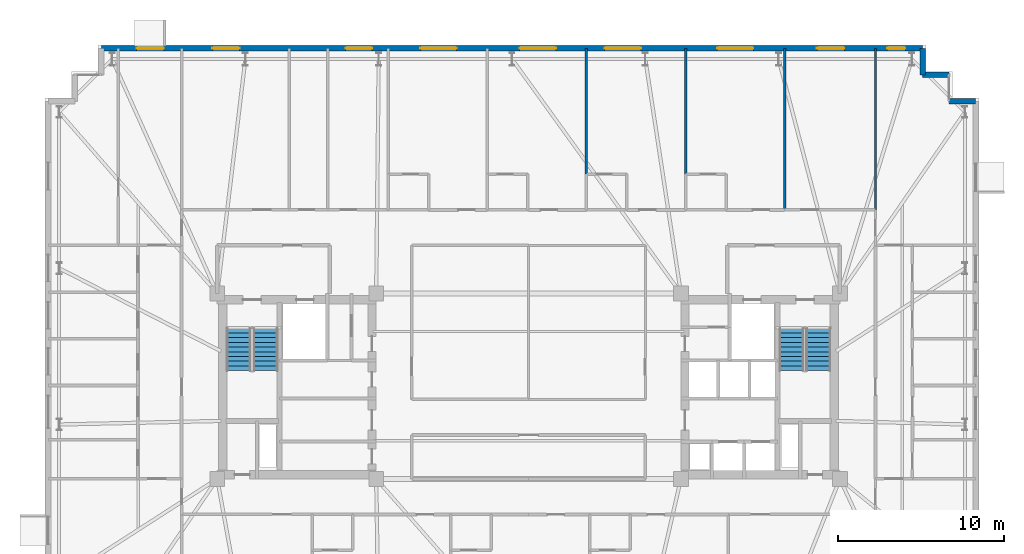
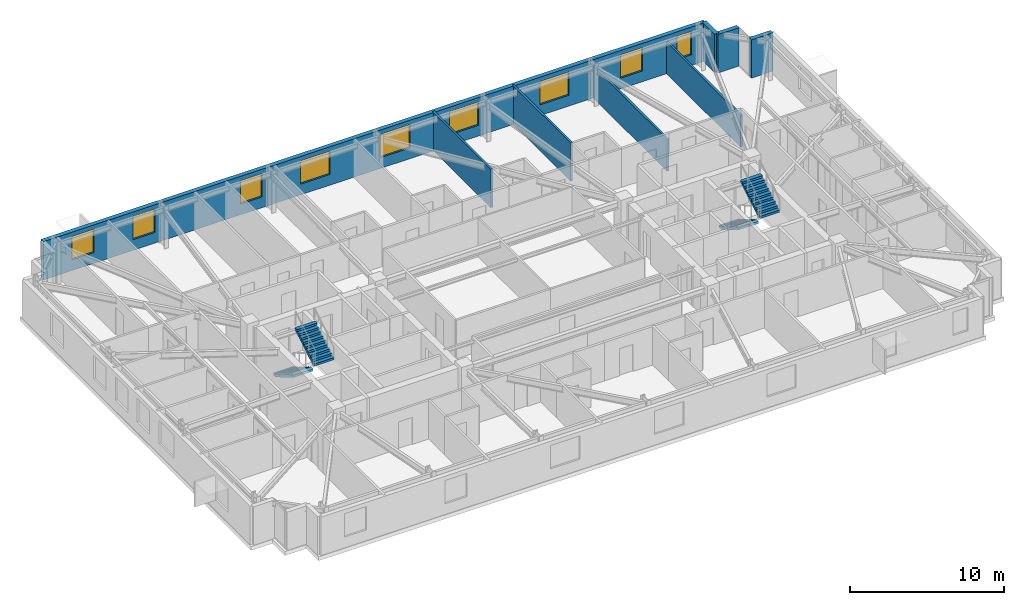
# One storey, part 16 of 18: 9 windows, 8 walls, 4 stair flights, 9 openings, 2 elements without a shape of their own.
"""IFC4 building model written with IfcOpenShell, lengths in metres."""

from ifc_helpers import new_model, si_unit, direction, frame, frame_2d, origin, place, context, subcontext, project, spatial, polyline, rectangle, outline, extrude, material, layer, layer_set, type_object, element, fill, aggregate, save


model = new_model("IFC4")

# Units and contexts
model_context = context("Model", 3, precision=1e-05, world=origin(), true_north=direction((0.0, 1.0)))
body_context = subcontext(model_context, "Body", "Model", "MODEL_VIEW")
ifc_project = project(units=[si_unit("LENGTHUNIT", "METRE"), si_unit("AREAUNIT", "SQUARE_METRE"), si_unit("VOLUMEUNIT", "CUBIC_METRE"), si_unit("PLANEANGLEUNIT", "RADIAN"), si_unit("MASSUNIT", "GRAM", prefix="KILO")], contexts=[model_context])

# Site, building, storey
site_placement = place(None, origin())
site = spatial("IfcSite", under=ifc_project, at=site_placement, CompositionType="ELEMENT")
building_placement = place(site_placement, origin())
building = spatial("IfcBuilding", under=site, at=building_placement, Name="Qobustan Lattice House", CompositionType="ELEMENT")
storey_placement = place(building_placement, frame((0.0, 0.0, 134.35009765625)))
storey = spatial("IfcBuildingStorey", under=building, at=storey_placement, Name="L37", CompositionType="ELEMENT", Elevation=134.35009765625)

# Wall, openings, windows
ifc_material_1 = material(Name="Precast concrete C40/50", Category="concrete")
ifc_layer_1 = layer(ifc_material_1, 0.320068359375)
ifc_layer_set_1 = layer_set([ifc_layer_1], Name="Precast concrete C40/50")
wall_type_1 = type_object("IfcWallType", Name="WAL-EXT-STONE-320", PredefinedType="SOLIDWALL", material=ifc_layer_set_1)
wall_1_placement = place(storey_placement, frame((-25.800048828125, 20.39990234375, 0.0), z_axis=(0.0, 0.0, 1.0), x_axis=(1.0, 0.0, 0.0)))
wall_1 = element("IfcWall", 1, at=wall_1_placement, inside=storey, type_object=wall_type_1, Name="L37 exterior limestone-clad wall 10", PredefinedType="SOLIDWALL", context=body_context, shape_type="SweptSolid", body=[
    extrude(rectangle(XDim=49.60009765625, YDim=0.320068359375, at=frame_2d((24.800048828125, 0.0))), origin(), (0.0, 0.0, 1.0), 3.039794921875),
])
opening_1_placement = place(wall_1_placement, frame((2.135009765625, 0.0, 0.85009765625)))
opening_1 = element("IfcOpeningElement", 2, at=opening_1_placement, cuts=wall_1, Name="Opening WN-09", PredefinedType="OPENING", context=body_context, shape_type="SweptSolid", body=[
    extrude(rectangle(XDim=1.64990234375, YDim=1.85009765625, at=frame_2d((0.824951171875, 0.925048828125))), frame((0.0, 0.169921875, 0.0), z_axis=(0.0, -1.0, 0.0), x_axis=(1.0, 0.0, 0.0)), (0.0, 0.0, 1.0), 0.340087890625),
])
opening_2_placement = place(wall_1_placement, frame((6.70556640625, 0.0, 0.85009765625)))
opening_2 = element("IfcOpeningElement", 3, at=opening_2_placement, cuts=wall_1, Name="Opening WN-09", PredefinedType="OPENING", context=body_context, shape_type="SweptSolid", body=[
    extrude(rectangle(XDim=1.64990234375, YDim=1.85009765625, at=frame_2d((0.824951171875, 0.925048828125))), frame((0.0, 0.169921875, 0.0), z_axis=(0.0, -1.0, 0.0), x_axis=(1.0, 0.0, 0.0)), (0.0, 0.0, 1.0), 0.340087890625),
])
opening_3_placement = place(wall_1_placement, frame((14.760009765625, 0.0, 0.85009765625)))
opening_3 = element("IfcOpeningElement", 4, at=opening_3_placement, cuts=wall_1, Name="Opening WN-13", PredefinedType="OPENING", context=body_context, shape_type="SweptSolid", body=[
    extrude(rectangle(XDim=1.60009765625, YDim=1.85009765625, at=frame_2d((0.800048828125, 0.925048828125))), frame((0.0, 0.169921875, 0.0), z_axis=(0.0, -1.0, 0.0), x_axis=(1.0, 0.0, 0.0)), (0.0, 0.0, 1.0), 0.340087890625),
])
opening_4_placement = place(wall_1_placement, frame((19.260009765625, 0.0, 0.85009765625)))
opening_4 = element("IfcOpeningElement", 5, at=opening_4_placement, cuts=wall_1, Name="Opening WN-03", PredefinedType="OPENING", context=body_context, shape_type="SweptSolid", body=[
    extrude(rectangle(XDim=2.199951171875, YDim=1.85009765625, at=frame_2d((1.10009765625, 0.925048828125))), frame((0.0, 0.169921875, 0.0), z_axis=(0.0, -1.0, 0.0), x_axis=(1.0, 0.0, 0.0)), (0.0, 0.0, 1.0), 0.340087890625),
])
opening_5_placement = place(wall_1_placement, frame((25.260009765625, 0.0, 0.85009765625)))
opening_5 = element("IfcOpeningElement", 6, at=opening_5_placement, cuts=wall_1, Name="Opening WN-03", PredefinedType="OPENING", context=body_context, shape_type="SweptSolid", body=[
    extrude(rectangle(XDim=2.199951171875, YDim=1.85009765625, at=frame_2d((1.10009765625, 0.925048828125))), frame((0.0, 0.169921875, 0.0), z_axis=(0.0, -1.0, 0.0), x_axis=(1.0, 0.0, 0.0)), (0.0, 0.0, 1.0), 0.340087890625),
])
opening_6_placement = place(wall_1_placement, frame((30.39990234375, 0.0, 0.85009765625)))
opening_6 = element("IfcOpeningElement", 7, at=opening_6_placement, cuts=wall_1, Name="Opening WN-03", PredefinedType="OPENING", context=body_context, shape_type="SweptSolid", body=[
    extrude(rectangle(XDim=2.199951171875, YDim=1.85009765625, at=frame_2d((1.10009765625, 0.925048828125))), frame((0.0, 0.169921875, 0.0), z_axis=(0.0, -1.0, 0.0), x_axis=(1.0, 0.0, 0.0)), (0.0, 0.0, 1.0), 0.340087890625),
])
opening_7_placement = place(wall_1_placement, frame((37.179931640625, 0.0, 0.85009765625)))
opening_7 = element("IfcOpeningElement", 8, at=opening_7_placement, cuts=wall_1, Name="Opening WN-03", PredefinedType="OPENING", context=body_context, shape_type="SweptSolid", body=[
    extrude(rectangle(XDim=2.199951171875, YDim=1.85009765625, at=frame_2d((1.10009765625, 0.925048828125))), frame((0.0, 0.169921875, 0.0), z_axis=(0.0, -1.0, 0.0), x_axis=(1.0, 0.0, 0.0)), (0.0, 0.0, 1.0), 0.340087890625),
])
opening_8_placement = place(wall_1_placement, frame((43.215087890625, 0.0, 0.85009765625)))
opening_8 = element("IfcOpeningElement", 9, at=opening_8_placement, cuts=wall_1, Name="Opening WN-09", PredefinedType="OPENING", context=body_context, shape_type="SweptSolid", body=[
    extrude(rectangle(XDim=1.64990234375, YDim=1.85009765625, at=frame_2d((0.824951171875, 0.925048828125))), frame((0.0, 0.169921875, 0.0), z_axis=(0.0, -1.0, 0.0), x_axis=(1.0, 0.0, 0.0)), (0.0, 0.0, 1.0), 0.340087890625),
])
opening_9_placement = place(wall_1_placement, frame((47.449951171875, 0.0, 0.85009765625)))
opening_9 = element("IfcOpeningElement", 10, at=opening_9_placement, cuts=wall_1, Name="Opening WN-04", PredefinedType="OPENING", context=body_context, shape_type="SweptSolid", body=[
    extrude(rectangle(XDim=1.10009765625, YDim=1.85009765625, at=frame_2d((0.550048828125, 0.925048828125))), frame((0.0, 0.169921875, 0.0), z_axis=(0.0, -1.0, 0.0), x_axis=(1.0, 0.0, 0.0)), (0.0, 0.0, 1.0), 0.340087890625),
])
ifc_material_2 = material(Name="Double-glazed low-E aluminium window", Category="aluminium")
window_type_1 = type_object("IfcWindowType", Name="WIN-BED-1600x1850", PartitioningType="SINGLE_PANEL", PredefinedType="WINDOW", material=ifc_material_2)
window_1_placement = place(opening_3_placement, origin())
window_1 = element("IfcWindow", 11, at=window_1_placement, inside=storey, type_object=window_type_1, Name="L37 Laundry utility room window", OverallHeight=1.85009765625, OverallWidth=1.60009765625, PartitioningType="SINGLE_PANEL", PredefinedType="WINDOW", context=body_context, shape_type="SweptSolid", body=[
    extrude(rectangle(XDim=1.60009765625, YDim=1.85009765625, at=frame_2d((0.800048828125, 0.925048828125))), frame((0.0, 0.030029296875, 0.0), z_axis=(0.0, -1.0, 0.0), x_axis=(1.0, 0.0, 0.0)), (0.0, 0.0, 1.0), 0.06005859375),
])
fill(opening_3, window_1)
ifc_material_3 = material(Name="Double-glazed low-E aluminium window", Category="aluminium")
window_type_2 = type_object("IfcWindowType", Name="WIN-NAR-1100x1850", PartitioningType="SINGLE_PANEL", PredefinedType="WINDOW", material=ifc_material_3)
window_2_placement = place(opening_9_placement, origin())
window_2 = element("IfcWindow", 12, at=window_2_placement, inside=storey, type_object=window_type_2, Name="L37 Reading study room L37EN window", OverallHeight=1.85009765625, OverallWidth=1.10009765625, PartitioningType="SINGLE_PANEL", PredefinedType="WINDOW", context=body_context, shape_type="SweptSolid", body=[
    extrude(rectangle(XDim=1.10009765625, YDim=1.85009765625, at=frame_2d((0.550048828125, 0.925048828125))), frame((0.0, 0.030029296875, 0.0), z_axis=(0.0, -1.0, 0.0), x_axis=(1.0, 0.0, 0.0)), (0.0, 0.0, 1.0), 0.06005859375),
])
fill(opening_9, window_2)
ifc_material_4 = material(Name="Double-glazed low-E aluminium window", Category="aluminium")
window_type_3 = type_object("IfcWindowType", Name="WIN-STU-1650x1850", PartitioningType="SINGLE_PANEL", PredefinedType="WINDOW", material=ifc_material_4)
window_3_placement = place(opening_1_placement, origin())
window_3 = element("IfcWindow", 13, at=window_3_placement, inside=storey, type_object=window_type_3, Name="L37 Reading seminar room L37WN window", OverallHeight=1.85009765625, OverallWidth=1.64990234375, PartitioningType="SINGLE_PANEL", PredefinedType="WINDOW", context=body_context, shape_type="SweptSolid", body=[
    extrude(rectangle(XDim=1.64990234375, YDim=1.85009765625, at=frame_2d((0.824951171875, 0.925048828125))), frame((0.0, 0.030029296875, 0.0), z_axis=(0.0, -1.0, 0.0), x_axis=(1.0, 0.0, 0.0)), (0.0, 0.0, 1.0), 0.06005859375),
])
fill(opening_1, window_3)
window_4_placement = place(opening_2_placement, origin())
window_4 = element("IfcWindow", 14, at=window_4_placement, inside=storey, type_object=window_type_3, Name="L37 Focus study room N1 window", OverallHeight=1.85009765625, OverallWidth=1.64990234375, PartitioningType="SINGLE_PANEL", PredefinedType="WINDOW", context=body_context, shape_type="SweptSolid", body=[
    extrude(rectangle(XDim=1.64990234375, YDim=1.85009765625, at=frame_2d((0.824951171875, 0.925048828125))), frame((0.0, 0.030029296875, 0.0), z_axis=(0.0, -1.0, 0.0), x_axis=(1.0, 0.0, 0.0)), (0.0, 0.0, 1.0), 0.06005859375),
])
fill(opening_2, window_4)
window_5_placement = place(opening_8_placement, origin())
window_5 = element("IfcWindow", 15, at=window_5_placement, inside=storey, type_object=window_type_3, Name="L37 Focus study room N7 window", OverallHeight=1.85009765625, OverallWidth=1.64990234375, PartitioningType="SINGLE_PANEL", PredefinedType="WINDOW", context=body_context, shape_type="SweptSolid", body=[
    extrude(rectangle(XDim=1.64990234375, YDim=1.85009765625, at=frame_2d((0.824951171875, 0.925048828125))), frame((0.0, 0.030029296875, 0.0), z_axis=(0.0, -1.0, 0.0), x_axis=(1.0, 0.0, 0.0)), (0.0, 0.0, 1.0), 0.06005859375),
])
fill(opening_8, window_5)
ifc_material_5 = material(Name="Double-glazed low-E aluminium window", Category="aluminium")
window_type_4 = type_object("IfcWindowType", Name="WIN-WIDE-2200x1850", PartitioningType="SINGLE_PANEL", PredefinedType="WINDOW", material=ifc_material_5)
window_6_placement = place(opening_4_placement, origin())
window_6 = element("IfcWindow", 16, at=window_6_placement, inside=storey, type_object=window_type_4, Name="L37 Kitchenette and studio apartment L37-N3 window", OverallHeight=1.85009765625, OverallWidth=2.199951171875, PartitioningType="SINGLE_PANEL", PredefinedType="WINDOW", context=body_context, shape_type="SweptSolid", body=[
    extrude(rectangle(XDim=2.199951171875, YDim=1.85009765625, at=frame_2d((1.10009765625, 0.925048828125))), frame((0.0, 0.030029296875, 0.0), z_axis=(0.0, -1.0, 0.0), x_axis=(1.0, 0.0, 0.0)), (0.0, 0.0, 1.0), 0.06005859375),
])
fill(opening_4, window_6)
window_7_placement = place(opening_5_placement, origin())
window_7 = element("IfcWindow", 17, at=window_7_placement, inside=storey, type_object=window_type_4, Name="L37 Kitchenette and studio apartment L37-N4 window", OverallHeight=1.85009765625, OverallWidth=2.199951171875, PartitioningType="SINGLE_PANEL", PredefinedType="WINDOW", context=body_context, shape_type="SweptSolid", body=[
    extrude(rectangle(XDim=2.199951171875, YDim=1.85009765625, at=frame_2d((1.10009765625, 0.925048828125))), frame((0.0, 0.030029296875, 0.0), z_axis=(0.0, -1.0, 0.0), x_axis=(1.0, 0.0, 0.0)), (0.0, 0.0, 1.0), 0.06005859375),
])
fill(opening_5, window_7)
window_8_placement = place(opening_6_placement, origin())
window_8 = element("IfcWindow", 18, at=window_8_placement, inside=storey, type_object=window_type_4, Name="L37 Kitchenette and studio apartment L37-N5 window", OverallHeight=1.85009765625, OverallWidth=2.199951171875, PartitioningType="SINGLE_PANEL", PredefinedType="WINDOW", context=body_context, shape_type="SweptSolid", body=[
    extrude(rectangle(XDim=2.199951171875, YDim=1.85009765625, at=frame_2d((1.10009765625, 0.925048828125))), frame((0.0, 0.030029296875, 0.0), z_axis=(0.0, -1.0, 0.0), x_axis=(1.0, 0.0, 0.0)), (0.0, 0.0, 1.0), 0.06005859375),
])
fill(opening_6, window_8)
window_9_placement = place(opening_7_placement, origin())
window_9 = element("IfcWindow", 19, at=window_9_placement, inside=storey, type_object=window_type_4, Name="L37 Kitchenette and studio apartment L37-N6 window", OverallHeight=1.85009765625, OverallWidth=2.199951171875, PartitioningType="SINGLE_PANEL", PredefinedType="WINDOW", context=body_context, shape_type="SweptSolid", body=[
    extrude(rectangle(XDim=2.199951171875, YDim=1.85009765625, at=frame_2d((1.10009765625, 0.925048828125))), frame((0.0, 0.030029296875, 0.0), z_axis=(0.0, -1.0, 0.0), x_axis=(1.0, 0.0, 0.0)), (0.0, 0.0, 1.0), 0.06005859375),
])
fill(opening_7, window_9)

# Walls
for number, where, z_axis, x_axis, name in (
    (20, (23.800048828125, 20.39990234375, 0.0), (0.0, 0.0, 1.0), (0.0, -1.0, 0.0), "L37 exterior limestone-clad wall 11"),
    (21, (23.800048828125, 18.800048828125, 0.0), (0.0, 0.0, 1.0), (1.0, 0.0, 0.0), "L37 exterior limestone-clad wall 12"),
):
    element("IfcWall", number, at=place(storey_placement, frame(where, z_axis=z_axis, x_axis=x_axis)), inside=storey, type_object=wall_type_1, Name=name, PredefinedType="SOLIDWALL", context=body_context, shape_type="SweptSolid", body=[
        extrude(rectangle(XDim=1.599853515625, YDim=0.320068359375, at=frame_2d((0.7998046875, 0.0))), origin(), (0.0, 0.0, 1.0), 3.039794921875),
    ])
wall_2_placement = place(storey_placement, frame((25.39990234375, 17.199951171875, 0.0), z_axis=(0.0, 0.0, 1.0), x_axis=(1.0, 0.0, 0.0)))
element("IfcWall", 22, at=wall_2_placement, inside=storey, type_object=wall_type_1, Name="L37 exterior limestone-clad wall 14", PredefinedType="SOLIDWALL", context=body_context, shape_type="SweptSolid", body=[
    extrude(rectangle(XDim=1.60009765625, YDim=0.320068359375, at=frame_2d((0.800048828125, 0.0))), origin(), (0.0, 0.0, 1.0), 3.039794921875),
])
ifc_material_6 = material(Name="Acoustic twin-stud gypsum partition", Category="gypsum")
ifc_layer_2 = layer(ifc_material_6, 0.14990234375)
ifc_layer_set_2 = layer_set([ifc_layer_2], Name="Acoustic twin-stud gypsum partition")
wall_type_2 = type_object("IfcWallType", Name="WAL-PART-150", PredefinedType="PARTITIONING", material=ifc_layer_set_2)
wall_3_placement = place(storey_placement, frame((20.949951171875, 10.64990234375, 0.0), z_axis=(0.0, 0.0, 1.0), x_axis=(0.0, 1.0, 0.0)))
element("IfcWall", 23, at=wall_3_placement, inside=storey, type_object=wall_type_2, Name="L37 interior partition 97", PredefinedType="PARTITIONING", context=body_context, shape_type="SweptSolid", body=[
    extrude(rectangle(XDim=9.75, YDim=0.14990234375, at=frame_2d((4.875, 0.0))), origin(), (0.0, 0.0, 1.0), 2.52490234375),
])
for number, where, z_axis, x_axis, name in (
    (24, (3.492919921875, 20.39990234375, 0.0), (0.0, 0.0, 1.0), (0.0, -1.0, 0.0), "L37 interior partition 114"),
    (25, (9.47900390625, 20.39990234375, 0.0), (0.0, 0.0, 1.0), (0.0, -1.0, 0.0), "L37 interior partition 118"),
):
    element("IfcWall", number, at=place(storey_placement, frame(where, z_axis=z_axis, x_axis=x_axis)), inside=storey, type_object=wall_type_2, Name=name, PredefinedType="PARTITIONING", context=body_context, shape_type="SweptSolid", body=[
        extrude(rectangle(XDim=7.599853515625, YDim=0.14990234375, at=frame_2d((3.7998046875, 0.0))), origin(), (0.0, 0.0, 1.0), 3.039794921875),
    ])
wall_4_placement = place(storey_placement, frame((15.464111328125, 20.39990234375, 0.0), z_axis=(0.0, 0.0, 1.0), x_axis=(0.0, -1.0, 0.0)))
element("IfcWall", 26, at=wall_4_placement, inside=storey, type_object=wall_type_2, Name="L37 interior partition 122", PredefinedType="PARTITIONING", context=body_context, shape_type="SweptSolid", body=[
    extrude(rectangle(XDim=9.75, YDim=0.14990234375, at=frame_2d((4.875, 0.0))), origin(), (0.0, 0.0, 1.0), 2.52490234375),
])

# Stair, stair flights
ifc_material_7 = material(Name="Concrete C40/50", Category="concrete")
stair_type = type_object("IfcStairType", Name="STR-CORE-DOGLEG", PredefinedType="HALF_TURN_STAIR", material=ifc_material_7)
stair_1_placement = place(storey_placement, origin())
stair_1 = element("IfcStair", 27, at=stair_1_placement, inside=storey, type_object=stair_type, Name="L37 West protected exit stair ST-W1", PredefinedType="HALF_TURN_STAIR")
ifc_material_8 = material(Name="Concrete C40/50", Category="concrete")
stair_flight_type = type_object("IfcStairFlightType", Name="SFL-RC-1500", PredefinedType="STRAIGHT", material=ifc_material_8)
stair_flight_1_placement = place(storey_placement, frame((-17.5, 3.5, 0.0), z_axis=(0.0, 0.0, 1.0), x_axis=(0.0, -1.0, 0.0)))
stair_flight_1 = element("IfcStairFlight", 28, at=stair_flight_1_placement, type_object=stair_flight_type, Name="ST-W1 flight 1", NumberOfRisers=10, NumberOfTreads=9, PredefinedType="STRAIGHT", RiserHeight=0.1675, TreadLength=0.285, context=body_context, shape_type="SweptSolid", body=[
    extrude(outline(polyline([(0.0, 0.0), (0.0, 0.16748046875), (0.284912109375, 0.16748046875), (0.284912109375, 0.3349609375), (0.570068359375, 0.3349609375), (0.570068359375, 0.50244140625), (0.85498046875, 0.50244140625), (0.85498046875, 0.669921875), (1.139892578125, 0.669921875), (1.139892578125, 0.83740234375), (1.425048828125, 0.83740234375), (1.425048828125, 1.0048828125), (1.7099609375, 1.0048828125), (1.7099609375, 1.172607421875), (1.9951171875, 1.172607421875), (1.9951171875, 1.340087890625), (2.280029296875, 1.340087890625), (2.280029296875, 1.507568359375), (2.56494140625, 1.507568359375), (2.56494140625, 1.675048828125), (2.56494140625, 1.333740234375), (0.2958984375, 0.0), (0.0, 0.0)])), frame((0.0, 0.75, 0.0), z_axis=(0.0, -1.0, 0.0), x_axis=(1.0, 0.0, 0.0)), (0.0, 0.0, 1.0), 1.5),
])
stair_flight_2_placement = place(storey_placement, frame((-15.8798828125, 0.93505859375, 1.6748046875), z_axis=(0.0, 0.0, 1.0), x_axis=(0.0, 1.0, 0.0)))
stair_flight_2 = element("IfcStairFlight", 29, at=stair_flight_2_placement, type_object=stair_flight_type, Name="ST-W1 flight 2", NumberOfRisers=10, NumberOfTreads=9, PredefinedType="STRAIGHT", RiserHeight=0.1675, TreadLength=0.285, context=body_context, shape_type="SweptSolid", body=[
    extrude(outline(polyline([(0.0, 0.0), (0.0, 0.16748046875), (0.284912109375, 0.16748046875), (0.284912109375, 0.3349609375), (0.570068359375, 0.3349609375), (0.570068359375, 0.50244140625), (0.85498046875, 0.50244140625), (0.85498046875, 0.669921875), (1.139892578125, 0.669921875), (1.139892578125, 0.83740234375), (1.425048828125, 0.83740234375), (1.425048828125, 1.0048828125), (1.7099609375, 1.0048828125), (1.7099609375, 1.172607421875), (1.9951171875, 1.172607421875), (1.9951171875, 1.340087890625), (2.280029296875, 1.340087890625), (2.280029296875, 1.507568359375), (2.56494140625, 1.507568359375), (2.56494140625, 1.675048828125), (2.56494140625, 1.333740234375), (0.2958984375, 0.0), (0.0, 0.0)])), frame((0.0, 0.75, 0.0), z_axis=(0.0, -1.0, 0.0), x_axis=(1.0, 0.0, 0.0)), (0.0, 0.0, 1.0), 1.5),
])
aggregate(stair_1, [stair_flight_1, stair_flight_2])

stair_2_placement = place(storey_placement, origin())
stair_2 = element("IfcStair", 30, at=stair_2_placement, inside=storey, type_object=stair_type, Name="L37 East protected exit stair ST-E1", PredefinedType="HALF_TURN_STAIR")
stair_flight_3_placement = place(storey_placement, frame((15.8798828125, 3.5, 0.0), z_axis=(0.0, 0.0, 1.0), x_axis=(0.0, -1.0, 0.0)))
stair_flight_3 = element("IfcStairFlight", 31, at=stair_flight_3_placement, type_object=stair_flight_type, Name="ST-E1 flight 1", NumberOfRisers=10, NumberOfTreads=9, PredefinedType="STRAIGHT", RiserHeight=0.1675, TreadLength=0.285, context=body_context, shape_type="SweptSolid", body=[
    extrude(outline(polyline([(0.0, 0.0), (0.0, 0.16748046875), (0.284912109375, 0.16748046875), (0.284912109375, 0.3349609375), (0.570068359375, 0.3349609375), (0.570068359375, 0.50244140625), (0.85498046875, 0.50244140625), (0.85498046875, 0.669921875), (1.139892578125, 0.669921875), (1.139892578125, 0.83740234375), (1.425048828125, 0.83740234375), (1.425048828125, 1.0048828125), (1.7099609375, 1.0048828125), (1.7099609375, 1.172607421875), (1.9951171875, 1.172607421875), (1.9951171875, 1.340087890625), (2.280029296875, 1.340087890625), (2.280029296875, 1.507568359375), (2.56494140625, 1.507568359375), (2.56494140625, 1.675048828125), (2.56494140625, 1.333740234375), (0.2958984375, 0.0), (0.0, 0.0)])), frame((0.0, 0.75, 0.0), z_axis=(0.0, -1.0, 0.0), x_axis=(1.0, 0.0, 0.0)), (0.0, 0.0, 1.0), 1.5),
])
stair_flight_4_placement = place(storey_placement, frame((17.5, 0.93505859375, 1.6748046875), z_axis=(0.0, 0.0, 1.0), x_axis=(0.0, 1.0, 0.0)))
stair_flight_4 = element("IfcStairFlight", 32, at=stair_flight_4_placement, type_object=stair_flight_type, Name="ST-E1 flight 2", NumberOfRisers=10, NumberOfTreads=9, PredefinedType="STRAIGHT", RiserHeight=0.1675, TreadLength=0.285, context=body_context, shape_type="SweptSolid", body=[
    extrude(outline(polyline([(0.0, 0.0), (0.0, 0.16748046875), (0.284912109375, 0.16748046875), (0.284912109375, 0.3349609375), (0.570068359375, 0.3349609375), (0.570068359375, 0.50244140625), (0.85498046875, 0.50244140625), (0.85498046875, 0.669921875), (1.139892578125, 0.669921875), (1.139892578125, 0.83740234375), (1.425048828125, 0.83740234375), (1.425048828125, 1.0048828125), (1.7099609375, 1.0048828125), (1.7099609375, 1.172607421875), (1.9951171875, 1.172607421875), (1.9951171875, 1.340087890625), (2.280029296875, 1.340087890625), (2.280029296875, 1.507568359375), (2.56494140625, 1.507568359375), (2.56494140625, 1.675048828125), (2.56494140625, 1.333740234375), (0.2958984375, 0.0), (0.0, 0.0)])), frame((0.0, 0.75, 0.0), z_axis=(0.0, -1.0, 0.0), x_axis=(1.0, 0.0, 0.0)), (0.0, 0.0, 1.0), 1.5),
])
aggregate(stair_2, [stair_flight_3, stair_flight_4])

save(model, "model.ifc")
